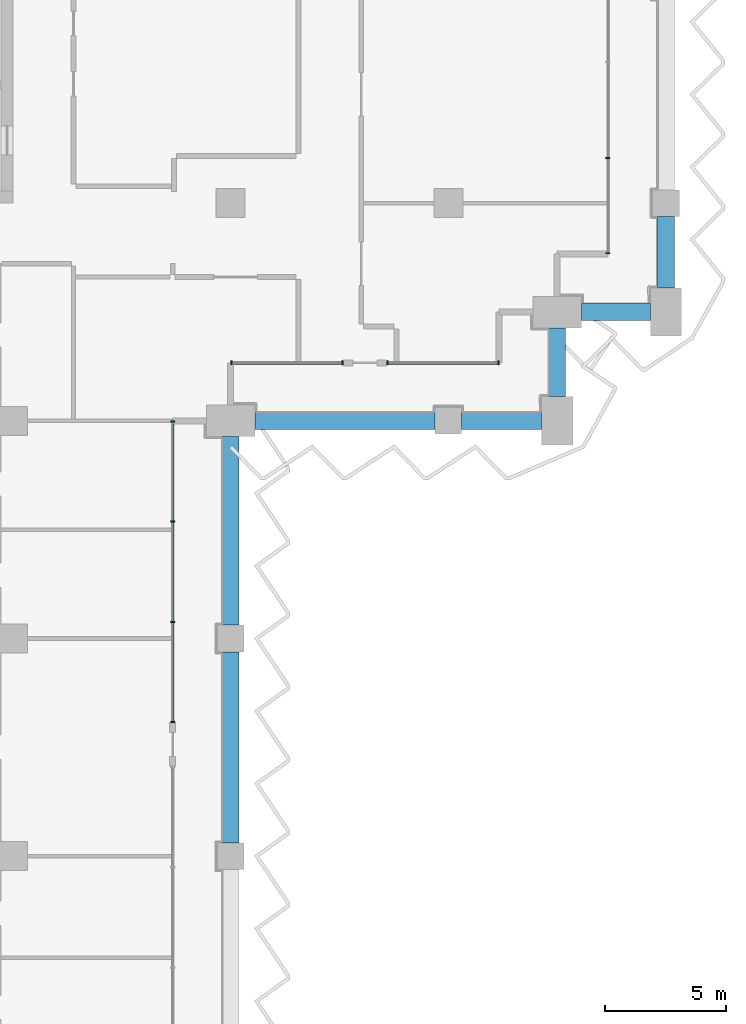
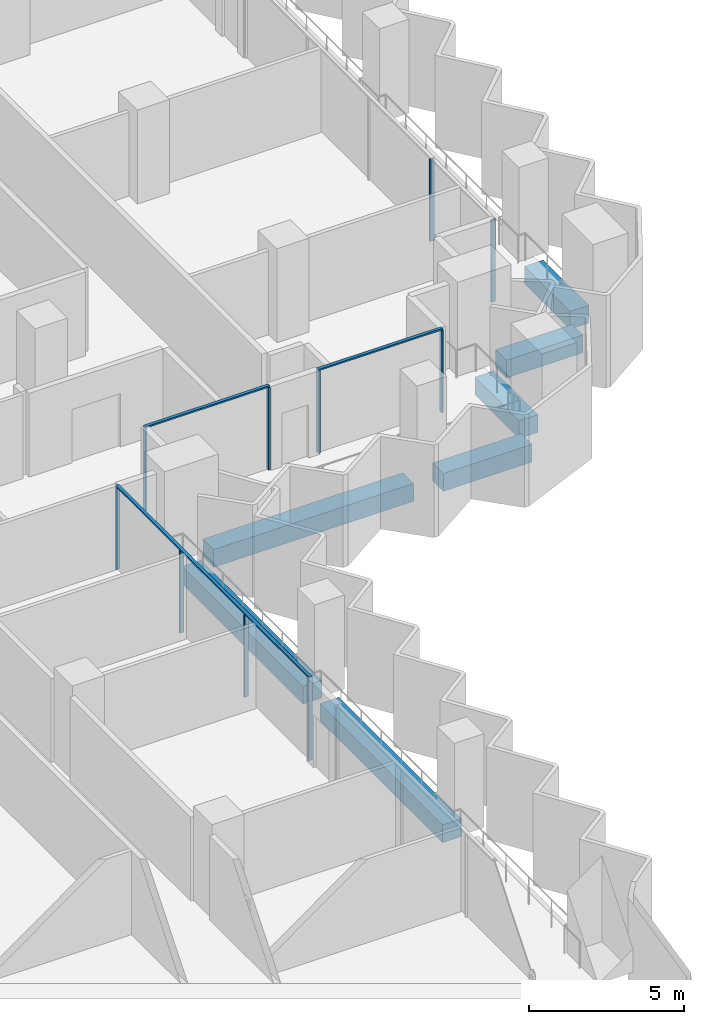
# One storey, part 4 of 22: 13 members, 7 beams, 4 elements without a shape of their own.
"""IFC4 building model written with IfcOpenShell, lengths in metres."""

from ifc_helpers import new_model, si_unit, direction, frame, origin, origin_2d, place, context, subcontext, project, spatial, rectangle, extrude, material, material_profile, profile_set, type_object, element, aggregate, save


model = new_model("IFC4")

# Units and contexts
model_context = context("Model", 3, precision=1e-05, world=origin(), true_north=direction((0.0, 1.0)))
body_context = subcontext(model_context, "Body", "Model", "MODEL_VIEW")
ifc_project = project(units=[si_unit("LENGTHUNIT", "METRE"), si_unit("AREAUNIT", "SQUARE_METRE"), si_unit("VOLUMEUNIT", "CUBIC_METRE"), si_unit("PLANEANGLEUNIT", "RADIAN"), si_unit("MASSUNIT", "GRAM", prefix="KILO")], contexts=[model_context])

# Site, building, storey
site_placement = place(None, origin())
site = spatial("IfcSite", under=ifc_project, at=site_placement, CompositionType="ELEMENT")
building_placement = place(site_placement, origin())
building = spatial("IfcBuilding", under=site, at=building_placement, Name="Hunhe Ridgeline Campus", CompositionType="ELEMENT")
storey_placement = place(building_placement, frame((0.0, 0.0, 137.5)))
storey = spatial("IfcBuildingStorey", under=building, at=storey_placement, Name="L34", CompositionType="ELEMENT", Elevation=137.5)

# Curtain wall, members
ifc_material_1 = material(Name="Aluminium 6063", Category="aluminium")
curtain_wall_type = type_object("IfcCurtainWallType", Name="Curtain wall CW-1", PredefinedType="NOTDEFINED", material=ifc_material_1)
curtain_wall_1_placement = place(storey_placement, origin())
curtain_wall_1 = element("IfcCurtainWall", 1, at=curtain_wall_1_placement, inside=storey, type_object=curtain_wall_type, Name="Curtain wall 12", PredefinedType="NOTDEFINED")
ifc_material_profile_1 = material_profile(ifc_material_1, rectangle(XDim=0.159912109375, YDim=0.06005859375, at=origin_2d()))
ifc_profile_set_1 = profile_set([ifc_material_profile_1], Name="Aluminium 6063")
member_type_1 = type_object("IfcMemberType", Name="CW-1 aluminium mullion", PredefinedType="MULLION", material=ifc_profile_set_1)
member_1_placement = place(storey_placement, frame((42.59912109375, 41.548583984375, 0.0), z_axis=(0.0, 0.0, 1.0), x_axis=(-0.99999999999, 4.406345e-06, 0.0)))
member_1 = element("IfcMember", 2, at=member_1_placement, type_object=member_type_1, Name="CW-1 mullion 1", PredefinedType="MULLION", context=body_context, shape_type="SweptSolid", body=[
    extrude(rectangle(XDim=0.159912109375, YDim=0.06005859375, at=origin_2d()), origin(), (0.0, 0.0, 1.0), 3.239990234375),
])
member_2_placement = place(storey_placement, frame((42.59912109375, 45.67919921875, 0.0), z_axis=(0.0, 0.0, 1.0), x_axis=(-0.99999999999, 4.406345e-06, 0.0)))
member_2 = element("IfcMember", 3, at=member_2_placement, type_object=member_type_1, Name="CW-1 mullion 2", PredefinedType="MULLION", context=body_context, shape_type="SweptSolid", body=[
    extrude(rectangle(XDim=0.159912109375, YDim=0.06005859375, at=origin_2d()), origin(), (0.0, 0.0, 1.0), 3.239990234375),
])
member_3_placement = place(storey_placement, frame((42.59912109375, 49.83984375, 0.0), z_axis=(0.0, 0.0, 1.0), x_axis=(-0.99999999999, 4.406345e-06, 0.0)))
member_3 = element("IfcMember", 4, at=member_3_placement, type_object=member_type_1, Name="CW-1 mullion 3", PredefinedType="MULLION", context=body_context, shape_type="SweptSolid", body=[
    extrude(rectangle(XDim=0.159912109375, YDim=0.06005859375, at=origin_2d()), origin(), (0.0, 0.0, 1.0), 3.239990234375),
])
member_4_placement = place(storey_placement, frame((42.59912109375, 53.970458984375, 0.0), z_axis=(0.0, 0.0, 1.0), x_axis=(-0.99999999999, 4.406345e-06, 0.0)))
member_4 = element("IfcMember", 5, at=member_4_placement, type_object=member_type_1, Name="CW-1 mullion 4", PredefinedType="MULLION", context=body_context, shape_type="SweptSolid", body=[
    extrude(rectangle(XDim=0.159912109375, YDim=0.06005859375, at=origin_2d()), origin(), (0.0, 0.0, 1.0), 3.239990234375),
])

curtain_wall_2_placement = place(storey_placement, origin())
curtain_wall_2 = element("IfcCurtainWall", 6, at=curtain_wall_2_placement, inside=storey, type_object=curtain_wall_type, Name="Curtain wall 13", PredefinedType="NOTDEFINED")
member_5_placement = place(storey_placement, frame((45.02978515625, 56.40087890625, 0.0), z_axis=(0.0, 0.0, 1.0), x_axis=(-1.72058e-06, 0.999999999999, 0.0)))
member_5 = element("IfcMember", 7, at=member_5_placement, type_object=member_type_1, Name="CW-1 mullion 1", PredefinedType="MULLION", context=body_context, shape_type="SweptSolid", body=[
    extrude(rectangle(XDim=0.159912109375, YDim=0.06005859375, at=origin_2d()), origin(), (0.0, 0.0, 1.0), 3.239990234375),
])
member_6_placement = place(storey_placement, frame((49.619384765625, 56.40087890625, 0.0), z_axis=(0.0, 0.0, 1.0), x_axis=(-1.72058e-06, 0.999999999999, 0.0)))
member_6 = element("IfcMember", 8, at=member_6_placement, type_object=member_type_1, Name="CW-1 mullion 2", PredefinedType="MULLION", context=body_context, shape_type="SweptSolid", body=[
    extrude(rectangle(XDim=0.159912109375, YDim=0.06005859375, at=origin_2d()), origin(), (0.0, 0.0, 1.0), 3.239990234375),
])

curtain_wall_3_placement = place(storey_placement, origin())
curtain_wall_3 = element("IfcCurtainWall", 9, at=curtain_wall_3_placement, inside=storey, type_object=curtain_wall_type, Name="Curtain wall 14", PredefinedType="NOTDEFINED")
member_7_placement = place(storey_placement, frame((51.4794921875, 56.40087890625, 0.0), z_axis=(0.0, 0.0, 1.0), x_axis=(-1.72058e-06, 0.999999999999, 0.0)))
member_7 = element("IfcMember", 10, at=member_7_placement, type_object=member_type_1, Name="CW-1 mullion 1", PredefinedType="MULLION", context=body_context, shape_type="SweptSolid", body=[
    extrude(rectangle(XDim=0.159912109375, YDim=0.06005859375, at=origin_2d()), origin(), (0.0, 0.0, 1.0), 3.239990234375),
])
member_8_placement = place(storey_placement, frame((56.069091796875, 56.40087890625, 0.0), z_axis=(0.0, 0.0, 1.0), x_axis=(-1.72058e-06, 0.999999999999, 0.0)))
member_8 = element("IfcMember", 11, at=member_8_placement, type_object=member_type_1, Name="CW-1 mullion 2", PredefinedType="MULLION", context=body_context, shape_type="SweptSolid", body=[
    extrude(rectangle(XDim=0.159912109375, YDim=0.06005859375, at=origin_2d()), origin(), (0.0, 0.0, 1.0), 3.239990234375),
])

curtain_wall_4_placement = place(storey_placement, origin())
curtain_wall_4 = element("IfcCurtainWall", 12, at=curtain_wall_4_placement, inside=storey, type_object=curtain_wall_type, Name="Curtain wall 15", PredefinedType="NOTDEFINED")
member_9_placement = place(storey_placement, frame((60.59912109375, 60.930908203125, 0.0), z_axis=(0.0, 0.0, 1.0), x_axis=(-1.0, 0.0, 0.0)))
member_9 = element("IfcMember", 13, at=member_9_placement, type_object=member_type_1, Name="CW-1 mullion 1", PredefinedType="MULLION", context=body_context, shape_type="SweptSolid", body=[
    extrude(rectangle(XDim=0.159912109375, YDim=0.06005859375, at=origin_2d()), origin(), (0.0, 0.0, 1.0), 3.239990234375),
])
member_10_placement = place(storey_placement, frame((60.59912109375, 64.8759765625, 0.0), z_axis=(0.0, 0.0, 1.0), x_axis=(-1.0, 0.0, 0.0)))
member_10 = element("IfcMember", 14, at=member_10_placement, type_object=member_type_1, Name="CW-1 mullion 2", PredefinedType="MULLION", context=body_context, shape_type="SweptSolid", body=[
    extrude(rectangle(XDim=0.159912109375, YDim=0.06005859375, at=origin_2d()), origin(), (0.0, 0.0, 1.0), 3.239990234375),
])
aggregate(curtain_wall_4, [member_9, member_10])

# Member
ifc_material_profile_2 = material_profile(ifc_material_1, rectangle(XDim=0.1201171875, YDim=0.06005859375, at=origin_2d()))
ifc_profile_set_2 = profile_set([ifc_material_profile_2], Name="Aluminium 6063")
member_type_2 = type_object("IfcMemberType", Name="CW-1 aluminium transom", PredefinedType="USERDEFINED", material=ifc_profile_set_2)
member_11_placement = place(storey_placement, frame((42.59912109375, 41.5185546875, 3.27001953125), z_axis=(0.0, 1.0, 0.0), x_axis=(-1.0, 0.0, 0.0)))
member_11 = element("IfcMember", 15, at=member_11_placement, type_object=member_type_2, Name="CW-1 transom 1", ObjectType="TRANSOM", PredefinedType="USERDEFINED", context=body_context, shape_type="SweptSolid", body=[
    extrude(rectangle(XDim=0.1201171875, YDim=0.06005859375, at=origin_2d()), origin(), (0.0, 0.0, 1.0), 12.48193359375),
])

aggregate(curtain_wall_1, [member_11, member_1, member_2, member_3, member_4])

member_12_placement = place(storey_placement, frame((44.999755859375, 56.40087890625, 3.27001953125), z_axis=(1.0, 0.0, 0.0), x_axis=(0.0, 1.0, 0.0)))
member_12 = element("IfcMember", 16, at=member_12_placement, type_object=member_type_2, Name="CW-1 transom 1", ObjectType="TRANSOM", PredefinedType="USERDEFINED", context=body_context, shape_type="SweptSolid", body=[
    extrude(rectangle(XDim=0.1201171875, YDim=0.06005859375, at=origin_2d()), origin(), (0.0, 0.0, 1.0), 4.649658203125),
])

aggregate(curtain_wall_2, [member_12, member_5, member_6])

member_13_placement = place(storey_placement, frame((51.449462890625, 56.40087890625, 3.27001953125), z_axis=(1.0, 0.0, 0.0), x_axis=(0.0, 1.0, 0.0)))
member_13 = element("IfcMember", 17, at=member_13_placement, type_object=member_type_2, Name="CW-1 transom 1", ObjectType="TRANSOM", PredefinedType="USERDEFINED", context=body_context, shape_type="SweptSolid", body=[
    extrude(rectangle(XDim=0.1201171875, YDim=0.06005859375, at=origin_2d()), origin(), (0.0, 0.0, 1.0), 4.649658203125),
])

aggregate(curtain_wall_3, [member_13, member_7, member_8])

# Beams
ifc_material_2 = material(Name="Concrete C60", Category="concrete")
ifc_material_profile_3 = material_profile(ifc_material_2, rectangle(XDim=0.699951171875, YDim=0.699951171875, at=origin_2d()))
ifc_profile_set_3 = profile_set([ifc_material_profile_3], Name="Concrete C60")
beam_type = type_object("IfcBeamType", Name="RC spandrel beam 700x700 Concrete C60", PredefinedType="SPANDREL", material=ifc_profile_set_3)
beam_1_placement = place(storey_placement, frame((45.0, 36.550048828125, -0.60009765625), z_axis=(0.0, 1.0, 0.0), x_axis=(-1.0, 0.0, 0.0)))
element("IfcBeam", 18, at=beam_1_placement, inside=storey, type_object=beam_type, Name="Spandrel beam B2-10 L34", PredefinedType="SPANDREL", context=body_context, shape_type="SweptSolid", body=[
    extrude(rectangle(XDim=0.699951171875, YDim=0.699951171875, at=origin_2d()), origin(), (0.0, 0.0, 1.0), 7.89990234375),
])
beam_2_placement = place(storey_placement, frame((45.0, 45.550048828125, -0.60009765625), z_axis=(0.0, 1.0, 0.0), x_axis=(-1.0, 0.0, 0.0)))
element("IfcBeam", 19, at=beam_2_placement, inside=storey, type_object=beam_type, Name="Spandrel beam B2-11 L34", PredefinedType="SPANDREL", context=body_context, shape_type="SweptSolid", body=[
    extrude(rectangle(XDim=0.699951171875, YDim=0.699951171875, at=origin_2d()), origin(), (0.0, 0.0, 1.0), 7.800048828125),
])
beam_3_placement = place(storey_placement, frame((46.0, 54.0, -0.60009765625), z_axis=(1.0, 0.0, 0.0), x_axis=(0.0, 1.0, 0.0)))
element("IfcBeam", 20, at=beam_3_placement, inside=storey, type_object=beam_type, Name="Spandrel beam B2-12 L34", PredefinedType="SPANDREL", context=body_context, shape_type="SweptSolid", body=[
    extrude(rectangle(XDim=0.699951171875, YDim=0.699951171875, at=origin_2d()), origin(), (0.0, 0.0, 1.0), 7.449951171875),
])
beam_4_placement = place(storey_placement, frame((54.550048828125, 54.0, -0.60009765625), z_axis=(1.0, 0.0, 0.0), x_axis=(0.0, 1.0, 0.0)))
element("IfcBeam", 21, at=beam_4_placement, inside=storey, type_object=beam_type, Name="Spandrel beam B2-13 L34", PredefinedType="SPANDREL", context=body_context, shape_type="SweptSolid", body=[
    extrude(rectangle(XDim=0.699951171875, YDim=0.699951171875, at=origin_2d()), origin(), (0.0, 0.0, 1.0), 3.300048828125),
])
for number, where, z_axis, x_axis, name in (
    (22, (58.5, 55.0, -0.60009765625), (0.0, 1.0, 0.0), (-1.0, 0.0, 0.0), "Spandrel beam B2-14 L34"),
    (23, (59.5, 58.5, -0.60009765625), (1.0, 0.0, 0.0), (0.0, 1.0, 0.0), "Spandrel beam B2-15 L34"),
):
    element("IfcBeam", number, at=place(storey_placement, frame(where, z_axis=z_axis, x_axis=x_axis)), inside=storey, type_object=beam_type, Name=name, PredefinedType="SPANDREL", context=body_context, shape_type="SweptSolid", body=[
        extrude(rectangle(XDim=0.699951171875, YDim=0.699951171875, at=origin_2d()), origin(), (0.0, 0.0, 1.0), 2.85009765625),
    ])
beam_5_placement = place(storey_placement, frame((63.0, 59.5, -0.60009765625), z_axis=(0.0, 1.0, 0.0), x_axis=(-1.0, 0.0, 0.0)))
element("IfcBeam", 24, at=beam_5_placement, inside=storey, type_object=beam_type, Name="Spandrel beam B2-16 L34", PredefinedType="SPANDREL", context=body_context, shape_type="SweptSolid", body=[
    extrude(rectangle(XDim=0.699951171875, YDim=0.699951171875, at=origin_2d()), origin(), (0.0, 0.0, 1.0), 2.949951171875),
])

save(model, "model.ifc")
